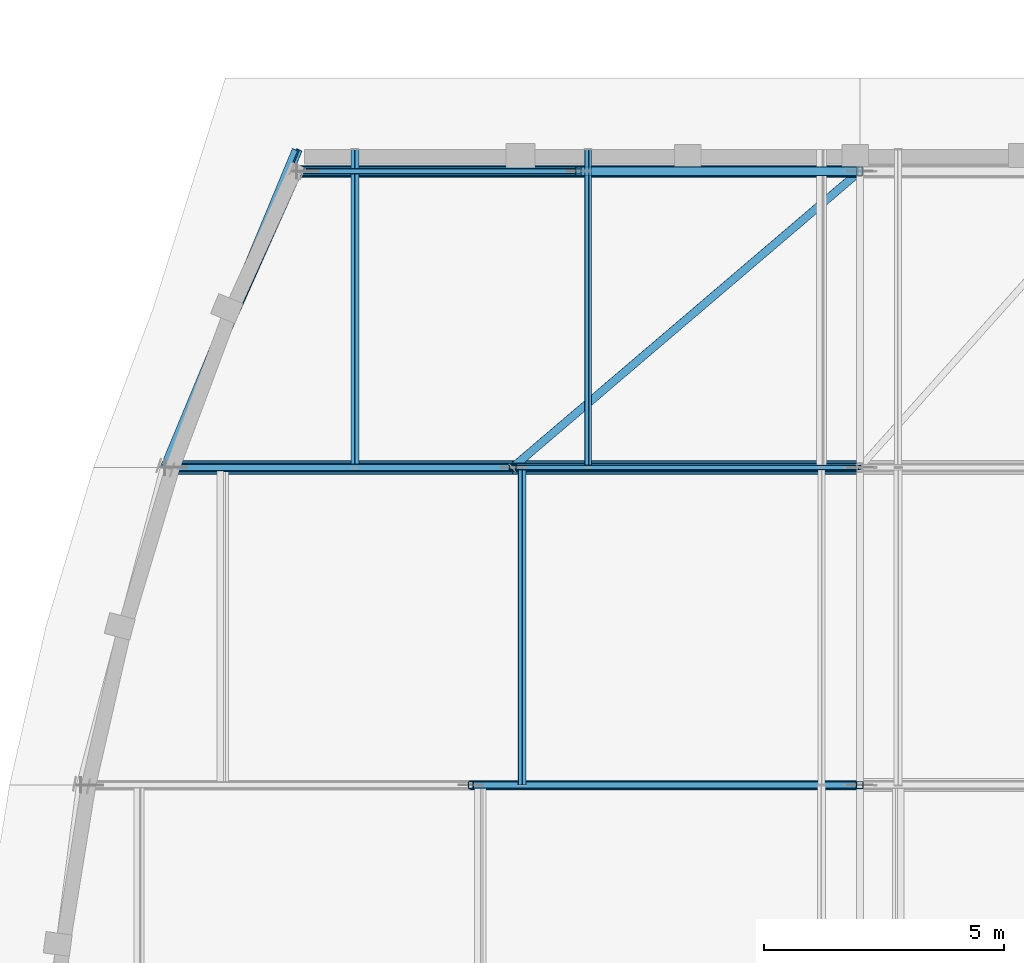
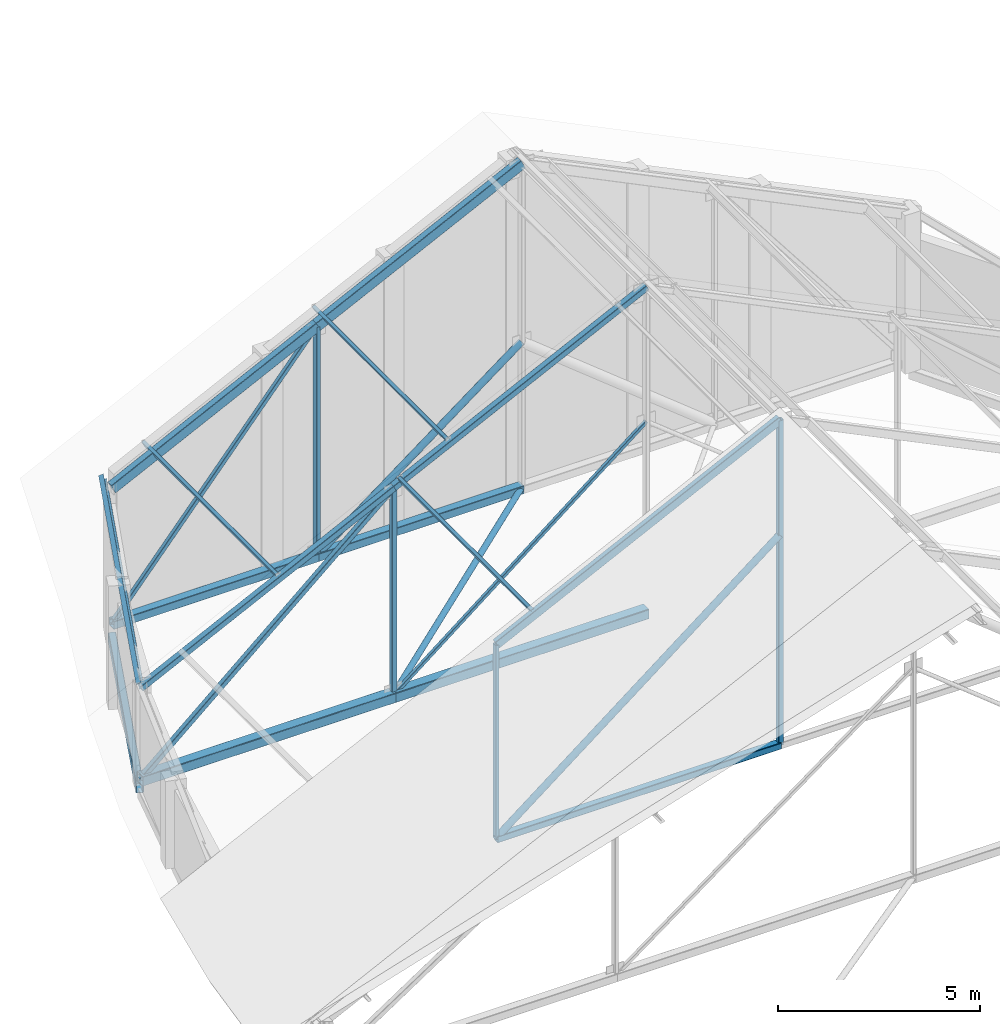
# One storey, part 21 of 78: 24 members, 1 beam.
"""IFC4 building model written with IfcOpenShell, lengths in metres."""

from ifc_helpers import new_model, si_unit, direction, frame, origin, origin_2d, place, context, subcontext, project, spatial, hollow_rectangle, hollow_circle, i_section, extrude, material, material_profile, profile_set, type_object, element, save


model = new_model("IFC4")

# Units and contexts
model_context = context("Model", 3, precision=1e-05, world=origin(), true_north=direction((0.0, 1.0)))
body_context = subcontext(model_context, "Body", "Model", "MODEL_VIEW")
ifc_project = project(units=[si_unit("LENGTHUNIT", "METRE"), si_unit("AREAUNIT", "SQUARE_METRE"), si_unit("VOLUMEUNIT", "CUBIC_METRE"), si_unit("PLANEANGLEUNIT", "RADIAN"), si_unit("MASSUNIT", "GRAM", prefix="KILO")], contexts=[model_context])

# Site, building, storey
site_placement = place(None, origin())
site = spatial("IfcSite", under=ifc_project, at=site_placement, CompositionType="ELEMENT")
building_placement = place(site_placement, origin())
building = spatial("IfcBuilding", under=site, at=building_placement, Name="Kelanivale Promenade Academy", CompositionType="ELEMENT")
storey_placement = place(building_placement, frame((0.0, 0.0, 16.199951171875)))
storey = spatial("IfcBuildingStorey", under=building, at=storey_placement, Name="L04", CompositionType="ELEMENT", Elevation=16.199951171875)

# Members
ifc_material = material(Name="Steel S355", Category="steel")
ifc_material_profile_1 = material_profile(ifc_material, i_section(OverallWidth=0.13330078125, OverallDepth=0.203125, WebThickness=0.005615234375, FlangeThickness=0.0078125, FilletRadius=0.007568359375, at=origin_2d()), Name="UB 203x133x25")
ifc_profile_set_1 = profile_set([ifc_material_profile_1], Name="Steel S355")
member_type_1 = type_object("IfcMemberType", Name="PR-01 UB 203x133x25", PredefinedType="PURLIN", material=ifc_profile_set_1)
member_1_placement = place(storey_placement, frame((5.111083984375, 72.77099609375, 3.010986328125), z_axis=(0.376761392739, 0.907865223257, 0.183933654727), x_axis=(-0.798995969758, 0.418973464595, -0.431354467087)))
element("IfcMember", 1, at=member_1_placement, inside=storey, type_object=member_type_1, Name="Sports Hall Crescent Pavilion roof tie purlin PR-01", PredefinedType="PURLIN", context=body_context, shape_type="SweptSolid", body=[
    extrude(i_section(OverallWidth=0.13330078125, OverallDepth=0.203125, WebThickness=0.005615234375, FlangeThickness=0.0078125, FilletRadius=0.007568359375, at=origin_2d()), origin(), (0.0, 0.0, 1.0), 7.3017578125),
])
ifc_material_profile_2 = material_profile(ifc_material, hollow_rectangle(XDim=0.10009765625, YDim=0.199951171875, WallThickness=0.008056640625, InnerFilletRadius=0.008056640625, OuterFilletRadius=0.01611328125, at=origin_2d()), Name="RHS 200x100x8.0")
ifc_profile_set_2 = profile_set([ifc_material_profile_2], Name="Steel S355")
member_type_2 = type_object("IfcMemberType", Name="PR-03 RHS 200x100x8.0", PredefinedType="PURLIN", material=ifc_profile_set_2)
member_2_placement = place(storey_placement, frame((12.555908203125, 66.14306640625, 6.666015625), z_axis=(0.0, 1.0, 0.0), x_axis=(-0.898564392509, 0.0, -0.438841694139)))
element("IfcMember", 2, at=member_2_placement, inside=storey, type_object=member_type_2, Name="Sports Hall Crescent Pavilion roof purlin PR-03", PredefinedType="PURLIN", context=body_context, shape_type="SweptSolid", body=[
    extrude(hollow_rectangle(XDim=0.10009765625, YDim=0.199951171875, WallThickness=0.008056640625, InnerFilletRadius=0.008056640625, OuterFilletRadius=0.01611328125, at=origin_2d()), origin(), (0.0, 0.0, 1.0), 6.6279296875),
])
member_3_placement = place(storey_placement, frame((9.06201171875, 72.77099609375, 4.9599609375), z_axis=(0.0, 1.0, 0.0), x_axis=(-0.898564392509, 0.0, -0.438841694139)))
element("IfcMember", 3, at=member_3_placement, inside=storey, type_object=member_type_2, Name="Sports Hall Crescent Pavilion roof purlin PR-03", PredefinedType="PURLIN", context=body_context, shape_type="SweptSolid", body=[
    extrude(hollow_rectangle(XDim=0.10009765625, YDim=0.199951171875, WallThickness=0.008056640625, InnerFilletRadius=0.008056640625, OuterFilletRadius=0.01611328125, at=origin_2d()), origin(), (0.0, 0.0, 1.0), 6.62890625),
])
ifc_material_profile_3 = material_profile(ifc_material, hollow_rectangle(XDim=0.10009765625, YDim=0.14990234375, WallThickness=0.008056640625, InnerFilletRadius=0.008056640625, OuterFilletRadius=0.01611328125, at=origin_2d()), Name="RHS 150x100x8.0")
ifc_profile_set_3 = profile_set([ifc_material_profile_3], Name="Steel S355")
member_type_3 = type_object("IfcMemberType", Name="PR-04 RHS 150x100x8.0", PredefinedType="PURLIN", material=ifc_profile_set_3)
member_4_placement = place(storey_placement, frame((13.930908203125, 72.77099609375, 7.364990234375), z_axis=(0.0, 1.0, 0.0), x_axis=(-0.898564392509, 0.0, -0.438841694139)))
element("IfcMember", 4, at=member_4_placement, inside=storey, type_object=member_type_3, Name="Sports Hall Crescent Pavilion roof purlin PR-04", PredefinedType="PURLIN", context=body_context, shape_type="SweptSolid", body=[
    extrude(hollow_rectangle(XDim=0.10009765625, YDim=0.14990234375, WallThickness=0.008056640625, InnerFilletRadius=0.008056640625, OuterFilletRadius=0.01611328125, at=origin_2d()), origin(), (0.0, 0.0, 1.0), 6.62890625),
])

# Beam
ifc_material_profile_4 = material_profile(ifc_material, hollow_rectangle(XDim=0.199951171875, YDim=0.300048828125, WallThickness=0.012451171875, InnerFilletRadius=0.012451171875, OuterFilletRadius=0.02490234375, at=origin_2d()), Name="RHS 300x200x12.5")
ifc_profile_set_4 = profile_set([ifc_material_profile_4], Name="Steel S355")
beam_type = type_object("IfcBeamType", Name="SB-14 RHS 300x200x12.5", PredefinedType="SPANDREL", material=ifc_profile_set_4)
beam_placement = place(storey_placement, frame((5.152099609375, 72.862060546875, -0.14990234375), z_axis=(0.40660775048, 0.913602833429, 0.0), x_axis=(-0.913602833429, 0.40660775048, 0.0)))
element("IfcBeam", 5, at=beam_placement, inside=storey, type_object=beam_type, Name="Sports Hall Crescent Pavilion curved ring beam SB-14", PredefinedType="SPANDREL", context=body_context, shape_type="SweptSolid", body=[
    extrude(hollow_rectangle(XDim=0.199951171875, YDim=0.300048828125, WallThickness=0.012451171875, InnerFilletRadius=0.012451171875, OuterFilletRadius=0.02490234375, at=origin_2d()), origin(), (0.0, 0.0, 1.0), 6.56396484375),
])

# Members
ifc_material_profile_5 = material_profile(ifc_material, hollow_rectangle(XDim=0.300048828125, YDim=0.300048828125, WallThickness=0.01611328125, InnerFilletRadius=0.01611328125, OuterFilletRadius=0.031982421875, at=origin_2d()), Name="SHS 300x300x16.0")
ifc_profile_set_5 = profile_set([ifc_material_profile_5], Name="Steel S355")
member_type_4 = type_object("IfcMemberType", Name="TC-01 SHS 300x300x16.0", PredefinedType="CHORD", material=ifc_profile_set_5)
member_5_placement = place(storey_placement, frame((5.111083984375, 72.77099609375, 0.199951171875), z_axis=(1.0, 0.0, 0.0), x_axis=(0.0, 1.0, 0.0)))
element("IfcMember", 6, at=member_5_placement, inside=storey, type_object=member_type_4, Name="ROOF TRUSS SH-TR7 bottom chord 1", PredefinedType="CHORD", context=body_context, shape_type="SweptSolid", body=[
    extrude(hollow_rectangle(XDim=0.300048828125, YDim=0.300048828125, WallThickness=0.01611328125, InnerFilletRadius=0.01611328125, OuterFilletRadius=0.031982421875, at=origin_2d()), origin(), (0.0, 0.0, 1.0), 7.244873046875),
])
member_6_placement = place(storey_placement, frame((12.35595703125, 72.77099609375, 0.199951171875), z_axis=(1.0, 0.0, 0.0), x_axis=(0.0, 1.0, 0.0)))
element("IfcMember", 7, at=member_6_placement, inside=storey, type_object=member_type_4, Name="ROOF TRUSS SH-TR7 bottom chord 2", PredefinedType="CHORD", context=body_context, shape_type="SweptSolid", body=[
    extrude(hollow_rectangle(XDim=0.300048828125, YDim=0.300048828125, WallThickness=0.01611328125, InnerFilletRadius=0.01611328125, OuterFilletRadius=0.031982421875, at=origin_2d()), origin(), (0.0, 0.0, 1.0), 7.244140625),
])
ifc_material_profile_6 = material_profile(ifc_material, hollow_rectangle(XDim=0.25, YDim=0.25, WallThickness=0.012451171875, InnerFilletRadius=0.012451171875, OuterFilletRadius=0.02490234375, at=origin_2d()), Name="SHS 250x250x12.5")
ifc_profile_set_6 = profile_set([ifc_material_profile_6], Name="Steel S355")
member_type_5 = type_object("IfcMemberType", Name="TC-02 SHS 250x250x12.5", PredefinedType="CHORD", material=ifc_profile_set_6)
member_7_placement = place(storey_placement, frame((7.862060546875, 78.949951171875, 0.199951171875), z_axis=(1.0, 0.0, 0.0), x_axis=(0.0, 1.0, 0.0)))
element("IfcMember", 8, at=member_7_placement, inside=storey, type_object=member_type_5, Name="ROOF TRUSS SH-TR8 bottom chord 1", PredefinedType="CHORD", context=body_context, shape_type="SweptSolid", body=[
    extrude(hollow_rectangle(XDim=0.25, YDim=0.25, WallThickness=0.012451171875, InnerFilletRadius=0.012451171875, OuterFilletRadius=0.02490234375, at=origin_2d()), origin(), (0.0, 0.0, 1.0), 5.868896484375),
])
member_8_placement = place(storey_placement, frame((13.73095703125, 78.949951171875, 0.199951171875), z_axis=(1.0, 0.0, 0.0), x_axis=(0.0, 1.0, 0.0)))
element("IfcMember", 9, at=member_8_placement, inside=storey, type_object=member_type_5, Name="ROOF TRUSS SH-TR8 bottom chord 2", PredefinedType="CHORD", context=body_context, shape_type="SweptSolid", body=[
    extrude(hollow_rectangle(XDim=0.25, YDim=0.25, WallThickness=0.012451171875, InnerFilletRadius=0.012451171875, OuterFilletRadius=0.02490234375, at=origin_2d()), origin(), (0.0, 0.0, 1.0), 5.869140625),
])
ifc_material_profile_7 = material_profile(ifc_material, hollow_rectangle(XDim=0.199951171875, YDim=0.199951171875, WallThickness=0.012451171875, InnerFilletRadius=0.012451171875, OuterFilletRadius=0.02490234375, at=origin_2d()), Name="SHS 200x200x12.5")
ifc_profile_set_7 = profile_set([ifc_material_profile_7], Name="Steel S355")
member_type_6 = type_object("IfcMemberType", Name="TC-03 SHS 200x200x12.5", PredefinedType="CHORD", material=ifc_profile_set_7)
member_9_placement = place(storey_placement, frame((11.47998046875, 66.14306640625, 0.199951171875), z_axis=(1.0, 0.0, 0.0), x_axis=(0.0, 1.0, 0.0)))
element("IfcMember", 10, at=member_9_placement, inside=storey, type_object=member_type_6, Name="ROOF TRUSS SH-TR6 bottom chord 2", PredefinedType="CHORD", context=body_context, shape_type="SweptSolid", body=[
    extrude(hollow_rectangle(XDim=0.199951171875, YDim=0.199951171875, WallThickness=0.012451171875, InnerFilletRadius=0.012451171875, OuterFilletRadius=0.02490234375, at=origin_2d()), origin(), (0.0, 0.0, 1.0), 8.1201171875),
])
ifc_material_profile_8 = material_profile(ifc_material, hollow_rectangle(XDim=0.179931640625, YDim=0.179931640625, WallThickness=0.010009765625, InnerFilletRadius=0.010009765625, OuterFilletRadius=0.02001953125, at=origin_2d()), Name="SHS 180x180x10.0")
ifc_profile_set_8 = profile_set([ifc_material_profile_8], Name="Steel S355")
member_type_7 = type_object("IfcMemberType", Name="TC-04 SHS 180x180x10.0", PredefinedType="CHORD", material=ifc_profile_set_8)
member_10_placement = place(storey_placement, frame((5.111083984375, 72.77099609375, 2.966064453125), z_axis=(0.898572791863, 0.0, 0.438824495356), x_axis=(0.0, 1.0, 0.0)))
element("IfcMember", 11, at=member_10_placement, inside=storey, type_object=member_type_7, Name="ROOF TRUSS SH-TR7 top chord 1", PredefinedType="CHORD", context=body_context, shape_type="SweptSolid", body=[
    extrude(hollow_rectangle(XDim=0.179931640625, YDim=0.179931640625, WallThickness=0.010009765625, InnerFilletRadius=0.010009765625, OuterFilletRadius=0.02001953125, at=origin_2d()), origin(), (0.0, 0.0, 1.0), 8.062744140625),
])
member_11_placement = place(storey_placement, frame((12.35595703125, 72.77099609375, 6.504150390625), z_axis=(0.898567238279, 0.0, 0.438835867144), x_axis=(0.0, 1.0, 0.0)))
element("IfcMember", 12, at=member_11_placement, inside=storey, type_object=member_type_7, Name="ROOF TRUSS SH-TR7 top chord 2", PredefinedType="CHORD", context=body_context, shape_type="SweptSolid", body=[
    extrude(hollow_rectangle(XDim=0.179931640625, YDim=0.179931640625, WallThickness=0.010009765625, InnerFilletRadius=0.010009765625, OuterFilletRadius=0.02001953125, at=origin_2d()), origin(), (0.0, 0.0, 1.0), 8.061767578125),
])
ifc_material_profile_9 = material_profile(ifc_material, hollow_rectangle(XDim=0.199951171875, YDim=0.300048828125, WallThickness=0.012451171875, InnerFilletRadius=0.012451171875, OuterFilletRadius=0.02490234375, at=origin_2d()), Name="RHS 300x200x12.5")
ifc_profile_set_9 = profile_set([ifc_material_profile_9], Name="Steel S355")
member_type_8 = type_object("IfcMemberType", Name="TC-05 RHS 300x200x12.5", PredefinedType="CHORD", material=ifc_profile_set_9)
member_12_placement = place(storey_placement, frame((7.862060546875, 78.949951171875, 4.30908203125), z_axis=(0.898522951892, 0.0, 0.438926537047), x_axis=(0.0, 1.0, 0.0)))
element("IfcMember", 13, at=member_12_placement, inside=storey, type_object=member_type_8, Name="ROOF TRUSS SH-TR8 top chord 1", PredefinedType="CHORD", context=body_context, shape_type="SweptSolid", body=[
    extrude(hollow_rectangle(XDim=0.199951171875, YDim=0.300048828125, WallThickness=0.012451171875, InnerFilletRadius=0.012451171875, OuterFilletRadius=0.02490234375, at=origin_2d()), origin(), (0.0, 0.0, 1.0), 6.53173828125),
])
member_13_placement = place(storey_placement, frame((13.73095703125, 78.949951171875, 7.176025390625), z_axis=(0.898589109791, 0.0, 0.43879107986), x_axis=(0.0, 1.0, 0.0)))
element("IfcMember", 14, at=member_13_placement, inside=storey, type_object=member_type_8, Name="ROOF TRUSS SH-TR8 top chord 2", PredefinedType="CHORD", context=body_context, shape_type="SweptSolid", body=[
    extrude(hollow_rectangle(XDim=0.199951171875, YDim=0.300048828125, WallThickness=0.012451171875, InnerFilletRadius=0.012451171875, OuterFilletRadius=0.02490234375, at=origin_2d()), origin(), (0.0, 0.0, 1.0), 6.531494140625),
])
ifc_material_profile_10 = material_profile(ifc_material, hollow_rectangle(XDim=0.14990234375, YDim=0.25, WallThickness=0.010009765625, InnerFilletRadius=0.010009765625, OuterFilletRadius=0.02001953125, at=origin_2d()), Name="RHS 250x150x10.0")
ifc_profile_set_10 = profile_set([ifc_material_profile_10], Name="Steel S355")
member_type_9 = type_object("IfcMemberType", Name="TC-06 RHS 250x150x10.0", PredefinedType="CHORD", material=ifc_profile_set_10)
member_14_placement = place(storey_placement, frame((11.47998046875, 66.14306640625, 6.075927734375), z_axis=(0.898548934374, 0.0, 0.438873344525), x_axis=(0.0, 1.0, 0.0)))
element("IfcMember", 15, at=member_14_placement, inside=storey, type_object=member_type_9, Name="ROOF TRUSS SH-TR6 top chord 2", PredefinedType="CHORD", context=body_context, shape_type="SweptSolid", body=[
    extrude(hollow_rectangle(XDim=0.14990234375, YDim=0.25, WallThickness=0.010009765625, InnerFilletRadius=0.010009765625, OuterFilletRadius=0.02001953125, at=origin_2d()), origin(), (0.0, 0.0, 1.0), 9.036865234375),
])
ifc_material_profile_11 = material_profile(ifc_material, hollow_rectangle(XDim=0.14990234375, YDim=0.14990234375, WallThickness=0.010009765625, InnerFilletRadius=0.010009765625, OuterFilletRadius=0.02001953125, at=origin_2d()), Name="SHS 150x150x10.0")
ifc_profile_set_11 = profile_set([ifc_material_profile_11], Name="Steel S355")
member_type_10 = type_object("IfcMemberType", Name="TD-01 SHS 150x150x10.0", PredefinedType="BRACE", material=ifc_profile_set_11)
member_15_placement = place(storey_placement, frame((5.111083984375, 72.77099609375, 0.199951171875), z_axis=(0.754383280134, 0.0, 0.656434205884), x_axis=(0.0, 1.0, 0.0)))
element("IfcMember", 16, at=member_15_placement, inside=storey, type_object=member_type_10, Name="ROOF TRUSS SH-TR7 web diagonal 1", PredefinedType="BRACE", context=body_context, shape_type="SweptSolid", body=[
    extrude(hollow_rectangle(XDim=0.14990234375, YDim=0.14990234375, WallThickness=0.010009765625, InnerFilletRadius=0.010009765625, OuterFilletRadius=0.02001953125, at=origin_2d()), origin(), (0.0, 0.0, 1.0), 9.603759765625),
])
ifc_material_profile_12 = material_profile(ifc_material, hollow_rectangle(XDim=0.1201171875, YDim=0.1201171875, WallThickness=0.008056640625, InnerFilletRadius=0.008056640625, OuterFilletRadius=0.01611328125, at=origin_2d()), Name="SHS 120x120x8.0")
ifc_profile_set_12 = profile_set([ifc_material_profile_12], Name="Steel S355")
member_type_11 = type_object("IfcMemberType", Name="TD-02 SHS 120x120x8.0", PredefinedType="BRACE", material=ifc_profile_set_12)
member_16_placement = place(storey_placement, frame((7.862060546875, 78.949951171875, 0.199951171875), z_axis=(0.643770341143, 0.0, 0.765218758177), x_axis=(0.0, 1.0, 0.0)))
element("IfcMember", 17, at=member_16_placement, inside=storey, type_object=member_type_11, Name="ROOF TRUSS SH-TR8 web diagonal 1", PredefinedType="BRACE", context=body_context, shape_type="SweptSolid", body=[
    extrude(hollow_rectangle(XDim=0.1201171875, YDim=0.1201171875, WallThickness=0.008056640625, InnerFilletRadius=0.008056640625, OuterFilletRadius=0.01611328125, at=origin_2d()), origin(), (0.0, 0.0, 1.0), 9.116455078125),
])
ifc_material_profile_13 = material_profile(ifc_material, hollow_rectangle(XDim=0.10009765625, YDim=0.10009765625, WallThickness=0.00634765625, InnerFilletRadius=0.00634765625, OuterFilletRadius=0.0126953125, at=origin_2d()), Name="SHS 100x100x6.3")
ifc_profile_set_13 = profile_set([ifc_material_profile_13], Name="Steel S355")
member_type_12 = type_object("IfcMemberType", Name="TD-03 SHS 100x100x6.3", PredefinedType="BRACE", material=ifc_profile_set_13)
member_17_placement = place(storey_placement, frame((12.35595703125, 72.77099609375, 0.199951171875), z_axis=(0.782726049988, 0.0, 0.62236639584), x_axis=(0.0, 1.0, 0.0)))
element("IfcMember", 18, at=member_17_placement, inside=storey, type_object=member_type_12, Name="ROOF TRUSS SH-TR7 web diagonal 2", PredefinedType="BRACE", context=body_context, shape_type="SweptSolid", body=[
    extrude(hollow_rectangle(XDim=0.10009765625, YDim=0.10009765625, WallThickness=0.00634765625, InnerFilletRadius=0.00634765625, OuterFilletRadius=0.0126953125, at=origin_2d()), origin(), (0.0, 0.0, 1.0), 9.255126953125),
])
ifc_material_profile_14 = material_profile(ifc_material, hollow_circle(Radius=0.084228515625, WallThickness=0.008056640625, at=origin_2d()), Name="CHS 168.3x8.0")
ifc_profile_set_14 = profile_set([ifc_material_profile_14], Name="Steel S355")
member_type_13 = type_object("IfcMemberType", Name="TD-04 CHS 168.3x8.0", PredefinedType="BRACE", material=ifc_profile_set_14)
member_18_placement = place(storey_placement, frame((12.35595703125, 72.77099609375, 0.199951171875), z_axis=(0.760827249498, 0.648954464058, 0.0), x_axis=(-0.648954464058, 0.760827249498, 0.0)))
element("IfcMember", 19, at=member_18_placement, inside=storey, type_object=member_type_13, Name="Sports Hall Crescent Pavilion roof wind brace TD-04", PredefinedType="BRACE", context=body_context, shape_type="SweptSolid", body=[
    extrude(hollow_circle(Radius=0.084228515625, WallThickness=0.008056640625, at=origin_2d()), origin(), (0.0, 0.0, 1.0), 9.521484375),
])
ifc_material_profile_15 = material_profile(ifc_material, hollow_circle(Radius=0.096923828125, WallThickness=0.010009765625, at=origin_2d()), Name="CHS 193.7x10.0")
ifc_profile_set_15 = profile_set([ifc_material_profile_15], Name="Steel S355")
member_type_14 = type_object("IfcMemberType", Name="TD-07 CHS 193.7x10.0", PredefinedType="BRACE", material=ifc_profile_set_15)
member_19_placement = place(storey_placement, frame((11.47998046875, 66.14306640625, 0.199951171875), z_axis=(0.788201107453, 0.0, 0.615417755846), x_axis=(0.0, 1.0, 0.0)))
element("IfcMember", 20, at=member_19_placement, inside=storey, type_object=member_type_14, Name="ROOF TRUSS SH-TR6 web diagonal 2", PredefinedType="BRACE", context=body_context, shape_type="SweptSolid", body=[
    extrude(hollow_circle(Radius=0.096923828125, WallThickness=0.010009765625, at=origin_2d()), origin(), (0.0, 0.0, 1.0), 10.302001953125),
])
member_20_placement = place(storey_placement, frame((13.73095703125, 78.949951171875, 0.199951171875), z_axis=(0.798802200472, 0.0, 0.601593753725), x_axis=(0.0, 1.0, 0.0)))
element("IfcMember", 21, at=member_20_placement, inside=storey, type_object=member_type_14, Name="ROOF TRUSS SH-TR8 web diagonal 2", PredefinedType="BRACE", context=body_context, shape_type="SweptSolid", body=[
    extrude(hollow_circle(Radius=0.096923828125, WallThickness=0.010009765625, at=origin_2d()), origin(), (0.0, 0.0, 1.0), 7.347412109375),
])
ifc_material_profile_16 = material_profile(ifc_material, hollow_rectangle(XDim=0.1201171875, YDim=0.199951171875, WallThickness=0.010009765625, InnerFilletRadius=0.010009765625, OuterFilletRadius=0.02001953125, at=origin_2d()), Name="RHS 200x120x10.0")
ifc_profile_set_16 = profile_set([ifc_material_profile_16], Name="Steel S355")
member_type_15 = type_object("IfcMemberType", Name="TV-01 RHS 200x120x10.0", PredefinedType="STRUT", material=ifc_profile_set_16)
member_21_placement = place(storey_placement, frame((13.73095703125, 78.949951171875, 0.199951171875), z_axis=(0.0, 0.0, 1.0), x_axis=(1.0, 0.0, 0.0)))
element("IfcMember", 22, at=member_21_placement, inside=storey, type_object=member_type_15, Name="ROOF TRUSS SH-TR8 vertical strut 1", PredefinedType="STRUT", context=body_context, shape_type="SweptSolid", body=[
    extrude(hollow_rectangle(XDim=0.1201171875, YDim=0.199951171875, WallThickness=0.010009765625, InnerFilletRadius=0.010009765625, OuterFilletRadius=0.02001953125, at=origin_2d()), origin(), (0.0, 0.0, 1.0), 6.97607421875),
])
ifc_material_profile_17 = material_profile(ifc_material, hollow_rectangle(XDim=0.10009765625, YDim=0.14990234375, WallThickness=0.008056640625, InnerFilletRadius=0.008056640625, OuterFilletRadius=0.01611328125, at=origin_2d()), Name="RHS 150x100x8.0")
ifc_profile_set_17 = profile_set([ifc_material_profile_17], Name="Steel S355")
member_type_16 = type_object("IfcMemberType", Name="TV-03 RHS 150x100x8.0", PredefinedType="STRUT", material=ifc_profile_set_17)
member_22_placement = place(storey_placement, frame((11.47998046875, 66.14306640625, 0.199951171875), z_axis=(0.0, 0.0, 1.0), x_axis=(1.0, 0.0, 0.0)))
element("IfcMember", 23, at=member_22_placement, inside=storey, type_object=member_type_16, Name="ROOF TRUSS SH-TR6 vertical strut 1", PredefinedType="STRUT", context=body_context, shape_type="SweptSolid", body=[
    extrude(hollow_rectangle(XDim=0.10009765625, YDim=0.14990234375, WallThickness=0.008056640625, InnerFilletRadius=0.008056640625, OuterFilletRadius=0.01611328125, at=origin_2d()), origin(), (0.0, 0.0, 1.0), 5.8759765625),
])
ifc_material_profile_18 = material_profile(ifc_material, hollow_rectangle(XDim=0.14990234375, YDim=0.14990234375, WallThickness=0.010009765625, InnerFilletRadius=0.010009765625, OuterFilletRadius=0.02001953125, at=origin_2d()), Name="SHS 150x150x10.0")
ifc_profile_set_18 = profile_set([ifc_material_profile_18], Name="Steel S355")
member_type_17 = type_object("IfcMemberType", Name="TV-04 SHS 150x150x10.0", PredefinedType="STRUT", material=ifc_profile_set_18)
member_23_placement = place(storey_placement, frame((19.60009765625, 66.14306640625, 0.199951171875), z_axis=(0.0, 0.0, 1.0), x_axis=(1.0, 0.0, 0.0)))
element("IfcMember", 24, at=member_23_placement, inside=storey, type_object=member_type_17, Name="ROOF TRUSS SH-TR6 vertical strut 2", PredefinedType="STRUT", context=body_context, shape_type="SweptSolid", body=[
    extrude(hollow_rectangle(XDim=0.14990234375, YDim=0.14990234375, WallThickness=0.010009765625, InnerFilletRadius=0.010009765625, OuterFilletRadius=0.02001953125, at=origin_2d()), origin(), (0.0, 0.0, 1.0), 9.842041015625),
])
member_24_placement = place(storey_placement, frame((12.35595703125, 72.77099609375, 0.199951171875), z_axis=(0.0, 0.0, 1.0), x_axis=(1.0, 0.0, 0.0)))
element("IfcMember", 25, at=member_24_placement, inside=storey, type_object=member_type_17, Name="ROOF TRUSS SH-TR7 vertical strut 1", PredefinedType="STRUT", context=body_context, shape_type="SweptSolid", body=[
    extrude(hollow_rectangle(XDim=0.14990234375, YDim=0.14990234375, WallThickness=0.010009765625, InnerFilletRadius=0.010009765625, OuterFilletRadius=0.02001953125, at=origin_2d()), origin(), (0.0, 0.0, 1.0), 6.30419921875),
])

save(model, "model.ifc")
